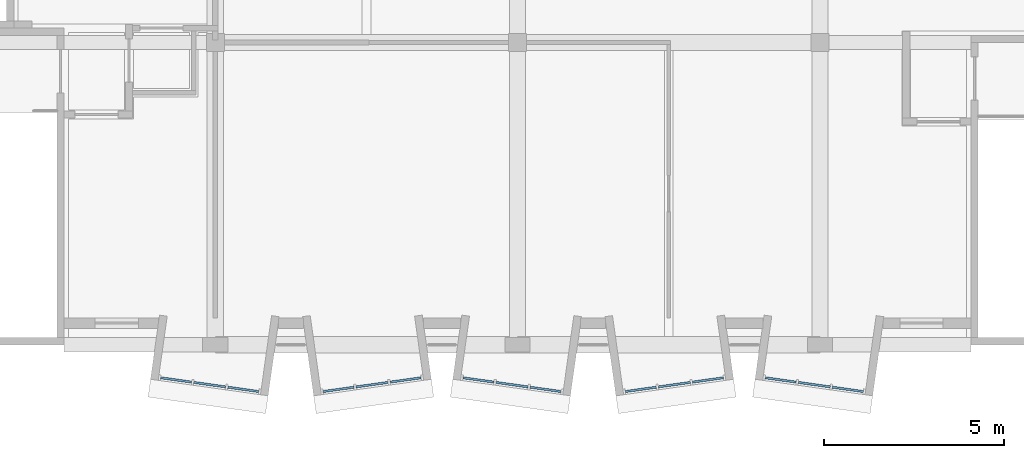
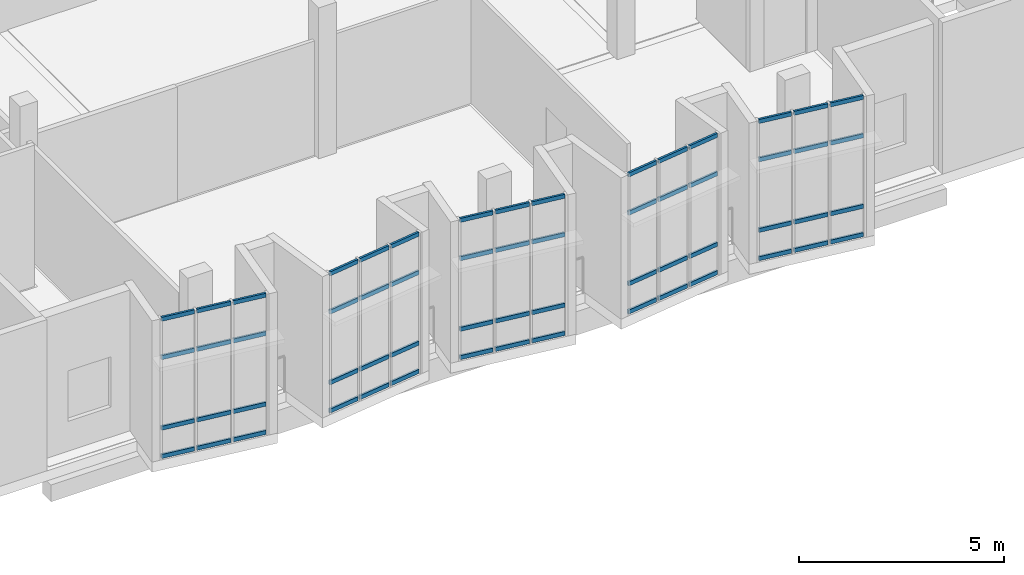
# One storey, part 5 of 15: 60 members, 5 elements without a shape of their own.
"""IFC4 building model written with IfcOpenShell, lengths in metres."""

from ifc_helpers import new_model, si_unit, direction, frame, origin, origin_2d, place, context, subcontext, project, spatial, rectangle, extrude, material, layer, layer_set, material_profile, profile_set, type_object, element, aggregate, save


model = new_model("IFC4")

# Units and contexts
model_context = context("Model", 3, precision=1e-05, world=origin(), true_north=direction((0.0, 1.0)))
body_context = subcontext(model_context, "Body", "Model", "MODEL_VIEW")
ifc_project = project(units=[si_unit("LENGTHUNIT", "METRE"), si_unit("AREAUNIT", "SQUARE_METRE"), si_unit("VOLUMEUNIT", "CUBIC_METRE"), si_unit("PLANEANGLEUNIT", "RADIAN"), si_unit("MASSUNIT", "GRAM", prefix="KILO")], contexts=[model_context])

# Site, building, storey
site_placement = place(None, origin())
site = spatial("IfcSite", under=ifc_project, at=site_placement, CompositionType="ELEMENT")
building_placement = place(site_placement, origin())
building = spatial("IfcBuilding", under=site, at=building_placement, Name="Kiln Court Media Centre", CompositionType="ELEMENT")
storey_placement = place(building_placement, frame((0.0, 0.0, 38.10009765625)))
storey = spatial("IfcBuildingStorey", under=building, at=storey_placement, Name="L08", CompositionType="ELEMENT", Elevation=38.10009765625)

# Curtain wall, members
ifc_material_1 = material(Name="Aluminium 6063-T6", Category="aluminium")
ifc_layer = layer(ifc_material_1, 0.1201171875)
ifc_layer_set = layer_set([ifc_layer], Name="Aluminium unitised bay curtain wall")
curtain_wall_type = type_object("IfcCurtainWallType", Name="Aluminium unitised bay curtain wall", PredefinedType="USERDEFINED", material=ifc_layer_set)
curtain_wall_1_placement = place(storey_placement, origin())
curtain_wall_1 = element("IfcCurtainWall", 1, at=curtain_wall_1_placement, inside=storey, type_object=curtain_wall_type, Name="BAY V6A-S-L08-55 front", ObjectType="UNITISED CURTAIN WALL", PredefinedType="USERDEFINED")
ifc_material_2 = material(Name="Aluminium 6063-T6", Category="aluminium")
ifc_material_profile = material_profile(ifc_material_2, rectangle(XDim=0.06005859375, YDim=0.1201171875, at=origin_2d()), Name="Aluminium transom 60x120")
ifc_profile_set = profile_set([ifc_material_profile], Name="Aluminium 6063-T6")
member_type = type_object("IfcMemberType", Name="Aluminium transom 60x120", PredefinedType="USERDEFINED", material=ifc_profile_set)
member_1_placement = place(storey_placement, frame((6.882568359375, -0.917724609375, 0.059814453125), z_axis=(0.990268108888, -0.139172815303, 0.0), x_axis=(0.139172815303, 0.990268108888, 0.0)))
member_1 = element("IfcMember", 2, at=member_1_placement, type_object=member_type, Name="CW8-10 transom 1.1", ObjectType="TRANSOM", PredefinedType="USERDEFINED", context=body_context, shape_type="SweptSolid", body=[
    extrude(rectangle(XDim=0.06005859375, YDim=0.1201171875, at=origin_2d()), origin(), (0.0, 0.0, 1.0), 0.86669921875),
])
member_2_placement = place(storey_placement, frame((6.882568359375, -0.917724609375, 0.89990234375), z_axis=(0.990268108888, -0.139172815303, 0.0), x_axis=(0.139172815303, 0.990268108888, 0.0)))
member_2 = element("IfcMember", 3, at=member_2_placement, type_object=member_type, Name="CW8-10 transom 1.2", ObjectType="TRANSOM", PredefinedType="USERDEFINED", context=body_context, shape_type="SweptSolid", body=[
    extrude(rectangle(XDim=0.06005859375, YDim=0.1201171875, at=origin_2d()), origin(), (0.0, 0.0, 1.0), 0.86669921875),
])
member_3_placement = place(storey_placement, frame((6.882568359375, -0.917724609375, 3.0), z_axis=(0.990268108888, -0.139172815303, 0.0), x_axis=(0.139172815303, 0.990268108888, 0.0)))
member_3 = element("IfcMember", 4, at=member_3_placement, type_object=member_type, Name="CW8-10 transom 1.3", ObjectType="TRANSOM", PredefinedType="USERDEFINED", context=body_context, shape_type="SweptSolid", body=[
    extrude(rectangle(XDim=0.06005859375, YDim=0.1201171875, at=origin_2d()), origin(), (0.0, 0.0, 1.0), 0.86669921875),
])
member_4_placement = place(storey_placement, frame((6.882568359375, -0.917724609375, 4.139892578125), z_axis=(0.990268108888, -0.139172815303, 0.0), x_axis=(0.139172815303, 0.990268108888, 0.0)))
member_4 = element("IfcMember", 5, at=member_4_placement, type_object=member_type, Name="CW8-10 transom 1.4", ObjectType="TRANSOM", PredefinedType="USERDEFINED", context=body_context, shape_type="SweptSolid", body=[
    extrude(rectangle(XDim=0.06005859375, YDim=0.1201171875, at=origin_2d()), origin(), (0.0, 0.0, 1.0), 0.86669921875),
])
member_5_placement = place(storey_placement, frame((7.80029296875, -1.046630859375, 0.059814453125), z_axis=(0.990273584723, -0.13913384707, 0.0), x_axis=(0.13913384707, 0.990273584723, 0.0)))
member_5 = element("IfcMember", 6, at=member_5_placement, type_object=member_type, Name="CW8-10 transom 2.1", ObjectType="TRANSOM", PredefinedType="USERDEFINED", context=body_context, shape_type="SweptSolid", body=[
    extrude(rectangle(XDim=0.06005859375, YDim=0.1201171875, at=origin_2d()), origin(), (0.0, 0.0, 1.0), 0.896728515625),
])
member_6_placement = place(storey_placement, frame((7.80029296875, -1.046630859375, 0.89990234375), z_axis=(0.990273584723, -0.13913384707, 0.0), x_axis=(0.13913384707, 0.990273584723, 0.0)))
member_6 = element("IfcMember", 7, at=member_6_placement, type_object=member_type, Name="CW8-10 transom 2.2", ObjectType="TRANSOM", PredefinedType="USERDEFINED", context=body_context, shape_type="SweptSolid", body=[
    extrude(rectangle(XDim=0.06005859375, YDim=0.1201171875, at=origin_2d()), origin(), (0.0, 0.0, 1.0), 0.896728515625),
])
member_7_placement = place(storey_placement, frame((7.80029296875, -1.046630859375, 3.0), z_axis=(0.990273584723, -0.13913384707, 0.0), x_axis=(0.13913384707, 0.990273584723, 0.0)))
member_7 = element("IfcMember", 8, at=member_7_placement, type_object=member_type, Name="CW8-10 transom 2.3", ObjectType="TRANSOM", PredefinedType="USERDEFINED", context=body_context, shape_type="SweptSolid", body=[
    extrude(rectangle(XDim=0.06005859375, YDim=0.1201171875, at=origin_2d()), origin(), (0.0, 0.0, 1.0), 0.896728515625),
])
member_8_placement = place(storey_placement, frame((7.80029296875, -1.046630859375, 4.139892578125), z_axis=(0.990273584723, -0.13913384707, 0.0), x_axis=(0.13913384707, 0.990273584723, 0.0)))
member_8 = element("IfcMember", 9, at=member_8_placement, type_object=member_type, Name="CW8-10 transom 2.4", ObjectType="TRANSOM", PredefinedType="USERDEFINED", context=body_context, shape_type="SweptSolid", body=[
    extrude(rectangle(XDim=0.06005859375, YDim=0.1201171875, at=origin_2d()), origin(), (0.0, 0.0, 1.0), 0.896728515625),
])
member_9_placement = place(storey_placement, frame((8.74755859375, -1.179931640625, 0.059814453125), z_axis=(0.990268108888, -0.139172815303, 0.0), x_axis=(0.139172815303, 0.990268108888, 0.0)))
member_9 = element("IfcMember", 10, at=member_9_placement, type_object=member_type, Name="CW8-10 transom 3.1", ObjectType="TRANSOM", PredefinedType="USERDEFINED", context=body_context, shape_type="SweptSolid", body=[
    extrude(rectangle(XDim=0.06005859375, YDim=0.1201171875, at=origin_2d()), origin(), (0.0, 0.0, 1.0), 0.86669921875),
])
member_10_placement = place(storey_placement, frame((8.74755859375, -1.179931640625, 0.89990234375), z_axis=(0.990268108888, -0.139172815303, 0.0), x_axis=(0.139172815303, 0.990268108888, 0.0)))
member_10 = element("IfcMember", 11, at=member_10_placement, type_object=member_type, Name="CW8-10 transom 3.2", ObjectType="TRANSOM", PredefinedType="USERDEFINED", context=body_context, shape_type="SweptSolid", body=[
    extrude(rectangle(XDim=0.06005859375, YDim=0.1201171875, at=origin_2d()), origin(), (0.0, 0.0, 1.0), 0.86669921875),
])
member_11_placement = place(storey_placement, frame((8.74755859375, -1.179931640625, 3.0), z_axis=(0.990268108888, -0.139172815303, 0.0), x_axis=(0.139172815303, 0.990268108888, 0.0)))
member_11 = element("IfcMember", 12, at=member_11_placement, type_object=member_type, Name="CW8-10 transom 3.3", ObjectType="TRANSOM", PredefinedType="USERDEFINED", context=body_context, shape_type="SweptSolid", body=[
    extrude(rectangle(XDim=0.06005859375, YDim=0.1201171875, at=origin_2d()), origin(), (0.0, 0.0, 1.0), 0.86669921875),
])
member_12_placement = place(storey_placement, frame((8.74755859375, -1.179931640625, 4.139892578125), z_axis=(0.990268108888, -0.139172815303, 0.0), x_axis=(0.139172815303, 0.990268108888, 0.0)))
member_12 = element("IfcMember", 13, at=member_12_placement, type_object=member_type, Name="CW8-10 transom 3.4", ObjectType="TRANSOM", PredefinedType="USERDEFINED", context=body_context, shape_type="SweptSolid", body=[
    extrude(rectangle(XDim=0.06005859375, YDim=0.1201171875, at=origin_2d()), origin(), (0.0, 0.0, 1.0), 0.86669921875),
])
aggregate(curtain_wall_1, [member_1, member_2, member_3, member_4, member_5, member_6, member_7, member_8, member_9, member_10, member_11, member_12])

curtain_wall_2_placement = place(storey_placement, origin())
curtain_wall_2 = element("IfcCurtainWall", 14, at=curtain_wall_2_placement, inside=storey, type_object=curtain_wall_type, Name="BAY V6A-S-L08-56 front", ObjectType="UNITISED CURTAIN WALL", PredefinedType="USERDEFINED")
member_13_placement = place(storey_placement, frame((11.394287109375, -1.300537109375, 0.059814453125), z_axis=(0.990268108888, 0.139172815303, 0.0), x_axis=(-0.139172815303, 0.990268108888, 0.0)))
member_13 = element("IfcMember", 15, at=member_13_placement, type_object=member_type, Name="CW8-11 transom 1.1", ObjectType="TRANSOM", PredefinedType="USERDEFINED", context=body_context, shape_type="SweptSolid", body=[
    extrude(rectangle(XDim=0.06005859375, YDim=0.1201171875, at=origin_2d()), origin(), (0.0, 0.0, 1.0), 0.86669921875),
])
member_14_placement = place(storey_placement, frame((11.394287109375, -1.300537109375, 0.89990234375), z_axis=(0.990268108888, 0.139172815303, 0.0), x_axis=(-0.139172815303, 0.990268108888, 0.0)))
member_14 = element("IfcMember", 16, at=member_14_placement, type_object=member_type, Name="CW8-11 transom 1.2", ObjectType="TRANSOM", PredefinedType="USERDEFINED", context=body_context, shape_type="SweptSolid", body=[
    extrude(rectangle(XDim=0.06005859375, YDim=0.1201171875, at=origin_2d()), origin(), (0.0, 0.0, 1.0), 0.86669921875),
])
member_15_placement = place(storey_placement, frame((11.394287109375, -1.300537109375, 3.0), z_axis=(0.990268108888, 0.139172815303, 0.0), x_axis=(-0.139172815303, 0.990268108888, 0.0)))
member_15 = element("IfcMember", 17, at=member_15_placement, type_object=member_type, Name="CW8-11 transom 1.3", ObjectType="TRANSOM", PredefinedType="USERDEFINED", context=body_context, shape_type="SweptSolid", body=[
    extrude(rectangle(XDim=0.06005859375, YDim=0.1201171875, at=origin_2d()), origin(), (0.0, 0.0, 1.0), 0.86669921875),
])
member_16_placement = place(storey_placement, frame((11.394287109375, -1.300537109375, 4.139892578125), z_axis=(0.990268108888, 0.139172815303, 0.0), x_axis=(-0.139172815303, 0.990268108888, 0.0)))
member_16 = element("IfcMember", 18, at=member_16_placement, type_object=member_type, Name="CW8-11 transom 1.4", ObjectType="TRANSOM", PredefinedType="USERDEFINED", context=body_context, shape_type="SweptSolid", body=[
    extrude(rectangle(XDim=0.06005859375, YDim=0.1201171875, at=origin_2d()), origin(), (0.0, 0.0, 1.0), 0.86669921875),
])
member_17_placement = place(storey_placement, frame((12.311767578125, -1.17138671875, 0.059814453125), z_axis=(0.990273584723, 0.13913384707, 0.0), x_axis=(-0.13913384707, 0.990273584723, 0.0)))
member_17 = element("IfcMember", 19, at=member_17_placement, type_object=member_type, Name="CW8-11 transom 2.1", ObjectType="TRANSOM", PredefinedType="USERDEFINED", context=body_context, shape_type="SweptSolid", body=[
    extrude(rectangle(XDim=0.06005859375, YDim=0.1201171875, at=origin_2d()), origin(), (0.0, 0.0, 1.0), 0.896728515625),
])
member_18_placement = place(storey_placement, frame((12.311767578125, -1.17138671875, 0.89990234375), z_axis=(0.990273584723, 0.13913384707, 0.0), x_axis=(-0.13913384707, 0.990273584723, 0.0)))
member_18 = element("IfcMember", 20, at=member_18_placement, type_object=member_type, Name="CW8-11 transom 2.2", ObjectType="TRANSOM", PredefinedType="USERDEFINED", context=body_context, shape_type="SweptSolid", body=[
    extrude(rectangle(XDim=0.06005859375, YDim=0.1201171875, at=origin_2d()), origin(), (0.0, 0.0, 1.0), 0.896728515625),
])
member_19_placement = place(storey_placement, frame((12.311767578125, -1.17138671875, 3.0), z_axis=(0.990273584723, 0.13913384707, 0.0), x_axis=(-0.13913384707, 0.990273584723, 0.0)))
member_19 = element("IfcMember", 21, at=member_19_placement, type_object=member_type, Name="CW8-11 transom 2.3", ObjectType="TRANSOM", PredefinedType="USERDEFINED", context=body_context, shape_type="SweptSolid", body=[
    extrude(rectangle(XDim=0.06005859375, YDim=0.1201171875, at=origin_2d()), origin(), (0.0, 0.0, 1.0), 0.896728515625),
])
member_20_placement = place(storey_placement, frame((12.311767578125, -1.17138671875, 4.139892578125), z_axis=(0.990273584723, 0.13913384707, 0.0), x_axis=(-0.13913384707, 0.990273584723, 0.0)))
member_20 = element("IfcMember", 22, at=member_20_placement, type_object=member_type, Name="CW8-11 transom 2.4", ObjectType="TRANSOM", PredefinedType="USERDEFINED", context=body_context, shape_type="SweptSolid", body=[
    extrude(rectangle(XDim=0.06005859375, YDim=0.1201171875, at=origin_2d()), origin(), (0.0, 0.0, 1.0), 0.896728515625),
])
member_21_placement = place(storey_placement, frame((13.25927734375, -1.038330078125, 0.059814453125), z_axis=(0.990268108888, 0.139172815303, 0.0), x_axis=(-0.139172815303, 0.990268108888, 0.0)))
member_21 = element("IfcMember", 23, at=member_21_placement, type_object=member_type, Name="CW8-11 transom 3.1", ObjectType="TRANSOM", PredefinedType="USERDEFINED", context=body_context, shape_type="SweptSolid", body=[
    extrude(rectangle(XDim=0.06005859375, YDim=0.1201171875, at=origin_2d()), origin(), (0.0, 0.0, 1.0), 0.86669921875),
])
member_22_placement = place(storey_placement, frame((13.25927734375, -1.038330078125, 0.89990234375), z_axis=(0.990268108888, 0.139172815303, 0.0), x_axis=(-0.139172815303, 0.990268108888, 0.0)))
member_22 = element("IfcMember", 24, at=member_22_placement, type_object=member_type, Name="CW8-11 transom 3.2", ObjectType="TRANSOM", PredefinedType="USERDEFINED", context=body_context, shape_type="SweptSolid", body=[
    extrude(rectangle(XDim=0.06005859375, YDim=0.1201171875, at=origin_2d()), origin(), (0.0, 0.0, 1.0), 0.86669921875),
])
member_23_placement = place(storey_placement, frame((13.25927734375, -1.038330078125, 3.0), z_axis=(0.990268108888, 0.139172815303, 0.0), x_axis=(-0.139172815303, 0.990268108888, 0.0)))
member_23 = element("IfcMember", 25, at=member_23_placement, type_object=member_type, Name="CW8-11 transom 3.3", ObjectType="TRANSOM", PredefinedType="USERDEFINED", context=body_context, shape_type="SweptSolid", body=[
    extrude(rectangle(XDim=0.06005859375, YDim=0.1201171875, at=origin_2d()), origin(), (0.0, 0.0, 1.0), 0.86669921875),
])
member_24_placement = place(storey_placement, frame((13.25927734375, -1.038330078125, 4.139892578125), z_axis=(0.990268108888, 0.139172815303, 0.0), x_axis=(-0.139172815303, 0.990268108888, 0.0)))
member_24 = element("IfcMember", 26, at=member_24_placement, type_object=member_type, Name="CW8-11 transom 3.4", ObjectType="TRANSOM", PredefinedType="USERDEFINED", context=body_context, shape_type="SweptSolid", body=[
    extrude(rectangle(XDim=0.06005859375, YDim=0.1201171875, at=origin_2d()), origin(), (0.0, 0.0, 1.0), 0.86669921875),
])
aggregate(curtain_wall_2, [member_13, member_14, member_15, member_16, member_17, member_18, member_19, member_20, member_21, member_22, member_23, member_24])

curtain_wall_3_placement = place(storey_placement, origin())
curtain_wall_3 = element("IfcCurtainWall", 27, at=curtain_wall_3_placement, inside=storey, type_object=curtain_wall_type, Name="BAY V6A-S-L08-57 front", ObjectType="UNITISED CURTAIN WALL", PredefinedType="USERDEFINED")
member_25_placement = place(storey_placement, frame((15.282470703125, -0.917724609375, 0.059814453125), z_axis=(0.990273563383, -0.139133998951, 0.0), x_axis=(0.139133998951, 0.990273563383, 0.0)))
member_25 = element("IfcMember", 28, at=member_25_placement, type_object=member_type, Name="CW8-12 transom 1.1", ObjectType="TRANSOM", PredefinedType="USERDEFINED", context=body_context, shape_type="SweptSolid", body=[
    extrude(rectangle(XDim=0.06005859375, YDim=0.1201171875, at=origin_2d()), origin(), (0.0, 0.0, 1.0), 0.866943359375),
])
member_26_placement = place(storey_placement, frame((15.282470703125, -0.917724609375, 0.89990234375), z_axis=(0.990273563383, -0.139133998951, 0.0), x_axis=(0.139133998951, 0.990273563383, 0.0)))
member_26 = element("IfcMember", 29, at=member_26_placement, type_object=member_type, Name="CW8-12 transom 1.2", ObjectType="TRANSOM", PredefinedType="USERDEFINED", context=body_context, shape_type="SweptSolid", body=[
    extrude(rectangle(XDim=0.06005859375, YDim=0.1201171875, at=origin_2d()), origin(), (0.0, 0.0, 1.0), 0.866943359375),
])
member_27_placement = place(storey_placement, frame((15.282470703125, -0.917724609375, 3.0), z_axis=(0.990273563383, -0.139133998951, 0.0), x_axis=(0.139133998951, 0.990273563383, 0.0)))
member_27 = element("IfcMember", 30, at=member_27_placement, type_object=member_type, Name="CW8-12 transom 1.3", ObjectType="TRANSOM", PredefinedType="USERDEFINED", context=body_context, shape_type="SweptSolid", body=[
    extrude(rectangle(XDim=0.06005859375, YDim=0.1201171875, at=origin_2d()), origin(), (0.0, 0.0, 1.0), 0.866943359375),
])
member_28_placement = place(storey_placement, frame((15.282470703125, -0.917724609375, 4.139892578125), z_axis=(0.990273563383, -0.139133998951, 0.0), x_axis=(0.139133998951, 0.990273563383, 0.0)))
member_28 = element("IfcMember", 31, at=member_28_placement, type_object=member_type, Name="CW8-12 transom 1.4", ObjectType="TRANSOM", PredefinedType="USERDEFINED", context=body_context, shape_type="SweptSolid", body=[
    extrude(rectangle(XDim=0.06005859375, YDim=0.1201171875, at=origin_2d()), origin(), (0.0, 0.0, 1.0), 0.866943359375),
])
member_29_placement = place(storey_placement, frame((16.2001953125, -1.046630859375, 0.059814453125), z_axis=(0.990273584723, -0.13913384707, 0.0), x_axis=(0.13913384707, 0.990273584723, 0.0)))
member_29 = element("IfcMember", 32, at=member_29_placement, type_object=member_type, Name="CW8-12 transom 2.1", ObjectType="TRANSOM", PredefinedType="USERDEFINED", context=body_context, shape_type="SweptSolid", body=[
    extrude(rectangle(XDim=0.06005859375, YDim=0.1201171875, at=origin_2d()), origin(), (0.0, 0.0, 1.0), 0.896728515625),
])
member_30_placement = place(storey_placement, frame((16.2001953125, -1.046630859375, 0.89990234375), z_axis=(0.990273584723, -0.13913384707, 0.0), x_axis=(0.13913384707, 0.990273584723, 0.0)))
member_30 = element("IfcMember", 33, at=member_30_placement, type_object=member_type, Name="CW8-12 transom 2.2", ObjectType="TRANSOM", PredefinedType="USERDEFINED", context=body_context, shape_type="SweptSolid", body=[
    extrude(rectangle(XDim=0.06005859375, YDim=0.1201171875, at=origin_2d()), origin(), (0.0, 0.0, 1.0), 0.896728515625),
])
member_31_placement = place(storey_placement, frame((16.2001953125, -1.046630859375, 3.0), z_axis=(0.990273584723, -0.13913384707, 0.0), x_axis=(0.13913384707, 0.990273584723, 0.0)))
member_31 = element("IfcMember", 34, at=member_31_placement, type_object=member_type, Name="CW8-12 transom 2.3", ObjectType="TRANSOM", PredefinedType="USERDEFINED", context=body_context, shape_type="SweptSolid", body=[
    extrude(rectangle(XDim=0.06005859375, YDim=0.1201171875, at=origin_2d()), origin(), (0.0, 0.0, 1.0), 0.896728515625),
])
member_32_placement = place(storey_placement, frame((16.2001953125, -1.046630859375, 4.139892578125), z_axis=(0.990273584723, -0.13913384707, 0.0), x_axis=(0.13913384707, 0.990273584723, 0.0)))
member_32 = element("IfcMember", 35, at=member_32_placement, type_object=member_type, Name="CW8-12 transom 2.4", ObjectType="TRANSOM", PredefinedType="USERDEFINED", context=body_context, shape_type="SweptSolid", body=[
    extrude(rectangle(XDim=0.06005859375, YDim=0.1201171875, at=origin_2d()), origin(), (0.0, 0.0, 1.0), 0.896728515625),
])
member_33_placement = place(storey_placement, frame((17.1474609375, -1.179931640625, 0.059814453125), z_axis=(0.990273563383, -0.139133998951, 0.0), x_axis=(0.139133998951, 0.990273563383, 0.0)))
member_33 = element("IfcMember", 36, at=member_33_placement, type_object=member_type, Name="CW8-12 transom 3.1", ObjectType="TRANSOM", PredefinedType="USERDEFINED", context=body_context, shape_type="SweptSolid", body=[
    extrude(rectangle(XDim=0.06005859375, YDim=0.1201171875, at=origin_2d()), origin(), (0.0, 0.0, 1.0), 0.866943359375),
])
member_34_placement = place(storey_placement, frame((17.1474609375, -1.179931640625, 0.89990234375), z_axis=(0.990273563383, -0.139133998951, 0.0), x_axis=(0.139133998951, 0.990273563383, 0.0)))
member_34 = element("IfcMember", 37, at=member_34_placement, type_object=member_type, Name="CW8-12 transom 3.2", ObjectType="TRANSOM", PredefinedType="USERDEFINED", context=body_context, shape_type="SweptSolid", body=[
    extrude(rectangle(XDim=0.06005859375, YDim=0.1201171875, at=origin_2d()), origin(), (0.0, 0.0, 1.0), 0.866943359375),
])
member_35_placement = place(storey_placement, frame((17.1474609375, -1.179931640625, 3.0), z_axis=(0.990273563383, -0.139133998951, 0.0), x_axis=(0.139133998951, 0.990273563383, 0.0)))
member_35 = element("IfcMember", 38, at=member_35_placement, type_object=member_type, Name="CW8-12 transom 3.3", ObjectType="TRANSOM", PredefinedType="USERDEFINED", context=body_context, shape_type="SweptSolid", body=[
    extrude(rectangle(XDim=0.06005859375, YDim=0.1201171875, at=origin_2d()), origin(), (0.0, 0.0, 1.0), 0.866943359375),
])
member_36_placement = place(storey_placement, frame((17.1474609375, -1.179931640625, 4.139892578125), z_axis=(0.990273563383, -0.139133998951, 0.0), x_axis=(0.139133998951, 0.990273563383, 0.0)))
member_36 = element("IfcMember", 39, at=member_36_placement, type_object=member_type, Name="CW8-12 transom 3.4", ObjectType="TRANSOM", PredefinedType="USERDEFINED", context=body_context, shape_type="SweptSolid", body=[
    extrude(rectangle(XDim=0.06005859375, YDim=0.1201171875, at=origin_2d()), origin(), (0.0, 0.0, 1.0), 0.866943359375),
])
aggregate(curtain_wall_3, [member_25, member_26, member_27, member_28, member_29, member_30, member_31, member_32, member_33, member_34, member_35, member_36])

curtain_wall_4_placement = place(storey_placement, origin())
curtain_wall_4 = element("IfcCurtainWall", 40, at=curtain_wall_4_placement, inside=storey, type_object=curtain_wall_type, Name="BAY V6A-S-L08-58 front", ObjectType="UNITISED CURTAIN WALL", PredefinedType="USERDEFINED")
member_37_placement = place(storey_placement, frame((19.794189453125, -1.300537109375, 0.059814453125), z_axis=(0.990268108888, 0.139172815303, 0.0), x_axis=(-0.139172815303, 0.990268108888, 0.0)))
member_37 = element("IfcMember", 41, at=member_37_placement, type_object=member_type, Name="CW8-13 transom 1.1", ObjectType="TRANSOM", PredefinedType="USERDEFINED", context=body_context, shape_type="SweptSolid", body=[
    extrude(rectangle(XDim=0.06005859375, YDim=0.1201171875, at=origin_2d()), origin(), (0.0, 0.0, 1.0), 0.86669921875),
])
member_38_placement = place(storey_placement, frame((19.794189453125, -1.300537109375, 0.89990234375), z_axis=(0.990268108888, 0.139172815303, 0.0), x_axis=(-0.139172815303, 0.990268108888, 0.0)))
member_38 = element("IfcMember", 42, at=member_38_placement, type_object=member_type, Name="CW8-13 transom 1.2", ObjectType="TRANSOM", PredefinedType="USERDEFINED", context=body_context, shape_type="SweptSolid", body=[
    extrude(rectangle(XDim=0.06005859375, YDim=0.1201171875, at=origin_2d()), origin(), (0.0, 0.0, 1.0), 0.86669921875),
])
member_39_placement = place(storey_placement, frame((19.794189453125, -1.300537109375, 3.0), z_axis=(0.990268108888, 0.139172815303, 0.0), x_axis=(-0.139172815303, 0.990268108888, 0.0)))
member_39 = element("IfcMember", 43, at=member_39_placement, type_object=member_type, Name="CW8-13 transom 1.3", ObjectType="TRANSOM", PredefinedType="USERDEFINED", context=body_context, shape_type="SweptSolid", body=[
    extrude(rectangle(XDim=0.06005859375, YDim=0.1201171875, at=origin_2d()), origin(), (0.0, 0.0, 1.0), 0.86669921875),
])
member_40_placement = place(storey_placement, frame((19.794189453125, -1.300537109375, 4.139892578125), z_axis=(0.990268108888, 0.139172815303, 0.0), x_axis=(-0.139172815303, 0.990268108888, 0.0)))
member_40 = element("IfcMember", 44, at=member_40_placement, type_object=member_type, Name="CW8-13 transom 1.4", ObjectType="TRANSOM", PredefinedType="USERDEFINED", context=body_context, shape_type="SweptSolid", body=[
    extrude(rectangle(XDim=0.06005859375, YDim=0.1201171875, at=origin_2d()), origin(), (0.0, 0.0, 1.0), 0.86669921875),
])
member_41_placement = place(storey_placement, frame((20.7119140625, -1.17138671875, 0.059814453125), z_axis=(0.990273584723, 0.13913384707, 0.0), x_axis=(-0.13913384707, 0.990273584723, 0.0)))
member_41 = element("IfcMember", 45, at=member_41_placement, type_object=member_type, Name="CW8-13 transom 2.1", ObjectType="TRANSOM", PredefinedType="USERDEFINED", context=body_context, shape_type="SweptSolid", body=[
    extrude(rectangle(XDim=0.06005859375, YDim=0.1201171875, at=origin_2d()), origin(), (0.0, 0.0, 1.0), 0.896728515625),
])
member_42_placement = place(storey_placement, frame((20.7119140625, -1.17138671875, 0.89990234375), z_axis=(0.990273584723, 0.13913384707, 0.0), x_axis=(-0.13913384707, 0.990273584723, 0.0)))
member_42 = element("IfcMember", 46, at=member_42_placement, type_object=member_type, Name="CW8-13 transom 2.2", ObjectType="TRANSOM", PredefinedType="USERDEFINED", context=body_context, shape_type="SweptSolid", body=[
    extrude(rectangle(XDim=0.06005859375, YDim=0.1201171875, at=origin_2d()), origin(), (0.0, 0.0, 1.0), 0.896728515625),
])
member_43_placement = place(storey_placement, frame((20.7119140625, -1.17138671875, 3.0), z_axis=(0.990273584723, 0.13913384707, 0.0), x_axis=(-0.13913384707, 0.990273584723, 0.0)))
member_43 = element("IfcMember", 47, at=member_43_placement, type_object=member_type, Name="CW8-13 transom 2.3", ObjectType="TRANSOM", PredefinedType="USERDEFINED", context=body_context, shape_type="SweptSolid", body=[
    extrude(rectangle(XDim=0.06005859375, YDim=0.1201171875, at=origin_2d()), origin(), (0.0, 0.0, 1.0), 0.896728515625),
])
member_44_placement = place(storey_placement, frame((20.7119140625, -1.17138671875, 4.139892578125), z_axis=(0.990273584723, 0.13913384707, 0.0), x_axis=(-0.13913384707, 0.990273584723, 0.0)))
member_44 = element("IfcMember", 48, at=member_44_placement, type_object=member_type, Name="CW8-13 transom 2.4", ObjectType="TRANSOM", PredefinedType="USERDEFINED", context=body_context, shape_type="SweptSolid", body=[
    extrude(rectangle(XDim=0.06005859375, YDim=0.1201171875, at=origin_2d()), origin(), (0.0, 0.0, 1.0), 0.896728515625),
])
member_45_placement = place(storey_placement, frame((21.6591796875, -1.038330078125, 0.059814453125), z_axis=(0.990273563383, 0.139133998951, 0.0), x_axis=(-0.139133998951, 0.990273563383, 0.0)))
member_45 = element("IfcMember", 49, at=member_45_placement, type_object=member_type, Name="CW8-13 transom 3.1", ObjectType="TRANSOM", PredefinedType="USERDEFINED", context=body_context, shape_type="SweptSolid", body=[
    extrude(rectangle(XDim=0.06005859375, YDim=0.1201171875, at=origin_2d()), origin(), (0.0, 0.0, 1.0), 0.866943359375),
])
member_46_placement = place(storey_placement, frame((21.6591796875, -1.038330078125, 0.89990234375), z_axis=(0.990273563383, 0.139133998951, 0.0), x_axis=(-0.139133998951, 0.990273563383, 0.0)))
member_46 = element("IfcMember", 50, at=member_46_placement, type_object=member_type, Name="CW8-13 transom 3.2", ObjectType="TRANSOM", PredefinedType="USERDEFINED", context=body_context, shape_type="SweptSolid", body=[
    extrude(rectangle(XDim=0.06005859375, YDim=0.1201171875, at=origin_2d()), origin(), (0.0, 0.0, 1.0), 0.866943359375),
])
member_47_placement = place(storey_placement, frame((21.6591796875, -1.038330078125, 3.0), z_axis=(0.990273563383, 0.139133998951, 0.0), x_axis=(-0.139133998951, 0.990273563383, 0.0)))
member_47 = element("IfcMember", 51, at=member_47_placement, type_object=member_type, Name="CW8-13 transom 3.3", ObjectType="TRANSOM", PredefinedType="USERDEFINED", context=body_context, shape_type="SweptSolid", body=[
    extrude(rectangle(XDim=0.06005859375, YDim=0.1201171875, at=origin_2d()), origin(), (0.0, 0.0, 1.0), 0.866943359375),
])
member_48_placement = place(storey_placement, frame((21.6591796875, -1.038330078125, 4.139892578125), z_axis=(0.990273563383, 0.139133998951, 0.0), x_axis=(-0.139133998951, 0.990273563383, 0.0)))
member_48 = element("IfcMember", 52, at=member_48_placement, type_object=member_type, Name="CW8-13 transom 3.4", ObjectType="TRANSOM", PredefinedType="USERDEFINED", context=body_context, shape_type="SweptSolid", body=[
    extrude(rectangle(XDim=0.06005859375, YDim=0.1201171875, at=origin_2d()), origin(), (0.0, 0.0, 1.0), 0.866943359375),
])
aggregate(curtain_wall_4, [member_37, member_38, member_39, member_40, member_41, member_42, member_43, member_44, member_45, member_46, member_47, member_48])

curtain_wall_5_placement = place(storey_placement, origin())
curtain_wall_5 = element("IfcCurtainWall", 53, at=curtain_wall_5_placement, inside=storey, type_object=curtain_wall_type, Name="BAY V6A-S-L08-59 front", ObjectType="UNITISED CURTAIN WALL", PredefinedType="USERDEFINED")
member_49_placement = place(storey_placement, frame((23.6826171875, -0.917724609375, 0.059814453125), z_axis=(0.990268108888, -0.139172815303, 0.0), x_axis=(0.139172815303, 0.990268108888, 0.0)))
member_49 = element("IfcMember", 54, at=member_49_placement, type_object=member_type, Name="CW8-14 transom 1.1", ObjectType="TRANSOM", PredefinedType="USERDEFINED", context=body_context, shape_type="SweptSolid", body=[
    extrude(rectangle(XDim=0.06005859375, YDim=0.1201171875, at=origin_2d()), origin(), (0.0, 0.0, 1.0), 0.86669921875),
])
member_50_placement = place(storey_placement, frame((23.6826171875, -0.917724609375, 0.89990234375), z_axis=(0.990268108888, -0.139172815303, 0.0), x_axis=(0.139172815303, 0.990268108888, 0.0)))
member_50 = element("IfcMember", 55, at=member_50_placement, type_object=member_type, Name="CW8-14 transom 1.2", ObjectType="TRANSOM", PredefinedType="USERDEFINED", context=body_context, shape_type="SweptSolid", body=[
    extrude(rectangle(XDim=0.06005859375, YDim=0.1201171875, at=origin_2d()), origin(), (0.0, 0.0, 1.0), 0.86669921875),
])
member_51_placement = place(storey_placement, frame((23.6826171875, -0.917724609375, 3.0), z_axis=(0.990268108888, -0.139172815303, 0.0), x_axis=(0.139172815303, 0.990268108888, 0.0)))
member_51 = element("IfcMember", 56, at=member_51_placement, type_object=member_type, Name="CW8-14 transom 1.3", ObjectType="TRANSOM", PredefinedType="USERDEFINED", context=body_context, shape_type="SweptSolid", body=[
    extrude(rectangle(XDim=0.06005859375, YDim=0.1201171875, at=origin_2d()), origin(), (0.0, 0.0, 1.0), 0.86669921875),
])
member_52_placement = place(storey_placement, frame((23.6826171875, -0.917724609375, 4.139892578125), z_axis=(0.990268108888, -0.139172815303, 0.0), x_axis=(0.139172815303, 0.990268108888, 0.0)))
member_52 = element("IfcMember", 57, at=member_52_placement, type_object=member_type, Name="CW8-14 transom 1.4", ObjectType="TRANSOM", PredefinedType="USERDEFINED", context=body_context, shape_type="SweptSolid", body=[
    extrude(rectangle(XDim=0.06005859375, YDim=0.1201171875, at=origin_2d()), origin(), (0.0, 0.0, 1.0), 0.86669921875),
])
member_53_placement = place(storey_placement, frame((24.60009765625, -1.046630859375, 0.059814453125), z_axis=(0.990273584723, -0.13913384707, 0.0), x_axis=(0.13913384707, 0.990273584723, 0.0)))
member_53 = element("IfcMember", 58, at=member_53_placement, type_object=member_type, Name="CW8-14 transom 2.1", ObjectType="TRANSOM", PredefinedType="USERDEFINED", context=body_context, shape_type="SweptSolid", body=[
    extrude(rectangle(XDim=0.06005859375, YDim=0.1201171875, at=origin_2d()), origin(), (0.0, 0.0, 1.0), 0.896728515625),
])
member_54_placement = place(storey_placement, frame((24.60009765625, -1.046630859375, 0.89990234375), z_axis=(0.990273584723, -0.13913384707, 0.0), x_axis=(0.13913384707, 0.990273584723, 0.0)))
member_54 = element("IfcMember", 59, at=member_54_placement, type_object=member_type, Name="CW8-14 transom 2.2", ObjectType="TRANSOM", PredefinedType="USERDEFINED", context=body_context, shape_type="SweptSolid", body=[
    extrude(rectangle(XDim=0.06005859375, YDim=0.1201171875, at=origin_2d()), origin(), (0.0, 0.0, 1.0), 0.896728515625),
])
member_55_placement = place(storey_placement, frame((24.60009765625, -1.046630859375, 3.0), z_axis=(0.990273584723, -0.13913384707, 0.0), x_axis=(0.13913384707, 0.990273584723, 0.0)))
member_55 = element("IfcMember", 60, at=member_55_placement, type_object=member_type, Name="CW8-14 transom 2.3", ObjectType="TRANSOM", PredefinedType="USERDEFINED", context=body_context, shape_type="SweptSolid", body=[
    extrude(rectangle(XDim=0.06005859375, YDim=0.1201171875, at=origin_2d()), origin(), (0.0, 0.0, 1.0), 0.896728515625),
])
member_56_placement = place(storey_placement, frame((24.60009765625, -1.046630859375, 4.139892578125), z_axis=(0.990273584723, -0.13913384707, 0.0), x_axis=(0.13913384707, 0.990273584723, 0.0)))
member_56 = element("IfcMember", 61, at=member_56_placement, type_object=member_type, Name="CW8-14 transom 2.4", ObjectType="TRANSOM", PredefinedType="USERDEFINED", context=body_context, shape_type="SweptSolid", body=[
    extrude(rectangle(XDim=0.06005859375, YDim=0.1201171875, at=origin_2d()), origin(), (0.0, 0.0, 1.0), 0.896728515625),
])
member_57_placement = place(storey_placement, frame((25.547607421875, -1.179931640625, 0.059814453125), z_axis=(0.990268108888, -0.139172815303, 0.0), x_axis=(0.139172815303, 0.990268108888, 0.0)))
member_57 = element("IfcMember", 62, at=member_57_placement, type_object=member_type, Name="CW8-14 transom 3.1", ObjectType="TRANSOM", PredefinedType="USERDEFINED", context=body_context, shape_type="SweptSolid", body=[
    extrude(rectangle(XDim=0.06005859375, YDim=0.1201171875, at=origin_2d()), origin(), (0.0, 0.0, 1.0), 0.86669921875),
])
member_58_placement = place(storey_placement, frame((25.547607421875, -1.179931640625, 0.89990234375), z_axis=(0.990268108888, -0.139172815303, 0.0), x_axis=(0.139172815303, 0.990268108888, 0.0)))
member_58 = element("IfcMember", 63, at=member_58_placement, type_object=member_type, Name="CW8-14 transom 3.2", ObjectType="TRANSOM", PredefinedType="USERDEFINED", context=body_context, shape_type="SweptSolid", body=[
    extrude(rectangle(XDim=0.06005859375, YDim=0.1201171875, at=origin_2d()), origin(), (0.0, 0.0, 1.0), 0.86669921875),
])
member_59_placement = place(storey_placement, frame((25.547607421875, -1.179931640625, 3.0), z_axis=(0.990268108888, -0.139172815303, 0.0), x_axis=(0.139172815303, 0.990268108888, 0.0)))
member_59 = element("IfcMember", 64, at=member_59_placement, type_object=member_type, Name="CW8-14 transom 3.3", ObjectType="TRANSOM", PredefinedType="USERDEFINED", context=body_context, shape_type="SweptSolid", body=[
    extrude(rectangle(XDim=0.06005859375, YDim=0.1201171875, at=origin_2d()), origin(), (0.0, 0.0, 1.0), 0.86669921875),
])
member_60_placement = place(storey_placement, frame((25.547607421875, -1.179931640625, 4.139892578125), z_axis=(0.990268108888, -0.139172815303, 0.0), x_axis=(0.139172815303, 0.990268108888, 0.0)))
member_60 = element("IfcMember", 65, at=member_60_placement, type_object=member_type, Name="CW8-14 transom 3.4", ObjectType="TRANSOM", PredefinedType="USERDEFINED", context=body_context, shape_type="SweptSolid", body=[
    extrude(rectangle(XDim=0.06005859375, YDim=0.1201171875, at=origin_2d()), origin(), (0.0, 0.0, 1.0), 0.86669921875),
])
aggregate(curtain_wall_5, [member_49, member_50, member_51, member_52, member_53, member_54, member_55, member_56, member_57, member_58, member_59, member_60])

save(model, "model.ifc")
